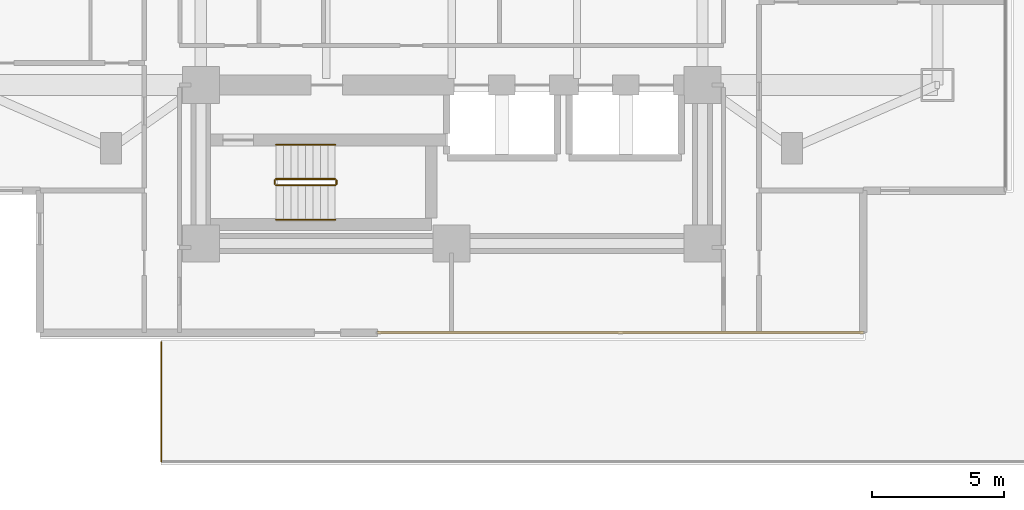
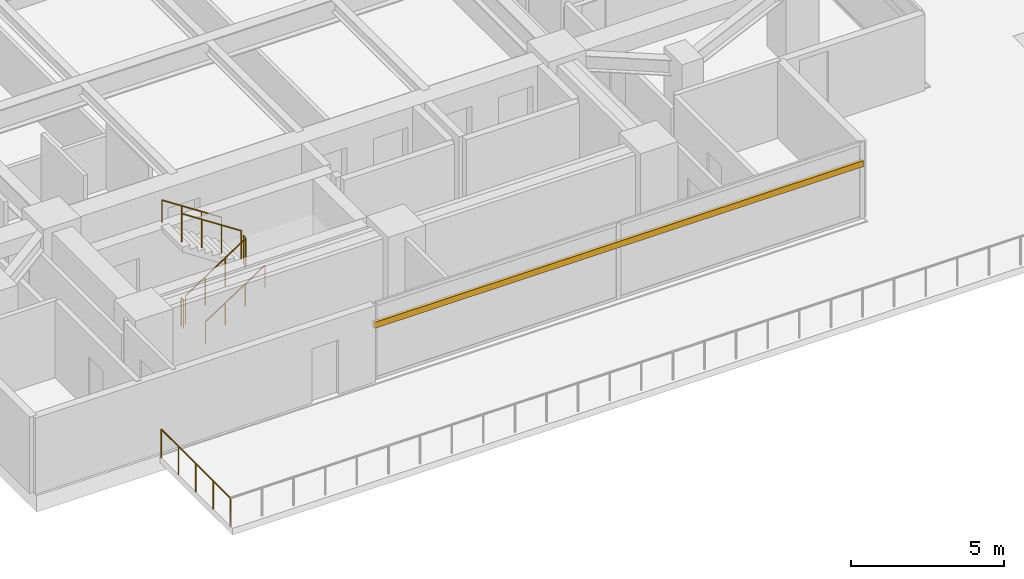
# One storey, part 20 of 26: 7 railings, 1 shading device.
"""IFC4 building model written with IfcOpenShell, lengths in metres."""

from ifc_helpers import new_model, si_unit, direction, frame, origin, origin_2d, place, context, subcontext, project, spatial, rectangle, circle, extrude, material, material_profile, profile_set, type_object, element, save


model = new_model("IFC4")

# Units and contexts
model_context = context("Model", 3, precision=1e-05, world=origin(), true_north=direction((0.0, 1.0)))
body_context = subcontext(model_context, "Body", "Model", "MODEL_VIEW")
ifc_project = project(units=[si_unit("LENGTHUNIT", "METRE"), si_unit("AREAUNIT", "SQUARE_METRE"), si_unit("VOLUMEUNIT", "CUBIC_METRE"), si_unit("PLANEANGLEUNIT", "RADIAN"), si_unit("MASSUNIT", "GRAM", prefix="KILO")], contexts=[model_context])

# Site, building, storey
site_placement = place(None, origin())
site = spatial("IfcSite", under=ifc_project, at=site_placement, CompositionType="ELEMENT")
building_placement = place(site_placement, origin())
building = spatial("IfcBuilding", under=site, at=building_placement, Name="Mirazonda Arch Towers", CompositionType="ELEMENT")
storey_placement = place(building_placement, frame((0.0, 0.0, 22.39990234375)))
storey = spatial("IfcBuildingStorey", under=building, at=storey_placement, Name="L05", CompositionType="ELEMENT", Elevation=22.39990234375)

# Shading device
ifc_material_1 = material(Name="Kiln-Fired Architectural Terracotta", Category="masonry")
ifc_material_profile = material_profile(ifc_material_1, rectangle(XDim=0.1201171875, YDim=0.239990234375, at=origin_2d()), Name="TERRA-BAG-120x240")
ifc_profile_set = profile_set([ifc_material_profile], Name="Kiln-Fired Architectural Terracotta")
shading_device_type = type_object("IfcShadingDeviceType", Name="BAGUETTE-1", PredefinedType="USERDEFINED", material=ifc_profile_set)
shading_device_placement = place(storey_placement, frame((36.10009765625, 9.02001953125, 2.18896484375), z_axis=(-1.0, 0.0, 0.0), x_axis=(0.0, -1.0, 0.0)))
element("IfcShadingDevice", 1, at=shading_device_placement, inside=storey, type_object=shading_device_type, Name="L05 Glazed Terracotta Sun-Screen Baguette CW-L05-T1-S", ObjectType="BAGUETTE", PredefinedType="USERDEFINED", context=body_context, shape_type="SweptSolid", body=[
    extrude(rectangle(XDim=0.1201171875, YDim=0.239990234375, at=origin_2d()), origin(), (0.0, 0.0, 1.0), 18.400146484375),
])

# Railings
ifc_material_2 = material(Name="Architectural Brushed Steel S355", Category="steel")
railing_type_1 = type_object("IfcRailingType", Name="GUARD-EXT-1150", PredefinedType="GUARDRAIL", material=ifc_material_2)
railing_1_placement = place(storey_placement, frame((9.5, 8.64990234375, 0.0)))
element("IfcRailing", 2, at=railing_1_placement, inside=storey, type_object=railing_type_1, Name="L05 Podium Roof Terrace Perimeter Guard 01", PredefinedType="GUARDRAIL", context=body_context, shape_type="SweptSolid", body=[
    extrude(circle(Radius=0.02392578125, at=origin_2d()), frame((0.0, 0.0, 1.1259765625), z_axis=(0.0, -1.0, 0.0), x_axis=(1.0, 0.0, 0.0)), (0.0, 0.0, 1.0), 4.510009765625),
    extrude(circle(Radius=0.02099609375, at=origin_2d()), origin(), (0.0, 0.0, 1.0), 1.101806640625),
    extrude(circle(Radius=0.02099609375, at=origin_2d()), frame((0.0, -1.12744140625, 0.0)), (0.0, 0.0, 1.0), 1.101806640625),
    extrude(circle(Radius=0.02099609375, at=origin_2d()), frame((0.0, -2.2548828125, 0.0)), (0.0, 0.0, 1.0), 1.101806640625),
    extrude(circle(Radius=0.02099609375, at=origin_2d()), frame((0.0, -3.382568359375, 0.0)), (0.0, 0.0, 1.0), 1.101806640625),
    extrude(circle(Radius=0.02099609375, at=origin_2d()), frame((0.0, -4.510009765625, 0.0)), (0.0, 0.0, 1.0), 1.101806640625),
])
railing_type_2 = type_object("IfcRailingType", Name="GUARD-STAIR-1120", PredefinedType="GUARDRAIL", material=ifc_material_2)
railing_2_placement = place(storey_placement, frame((13.85009765625, 14.60009765625, 0.183349609375)))
element("IfcRailing", 3, at=railing_2_placement, inside=storey, type_object=railing_type_2, Name="L05 ST-T1S stair guard 1", PredefinedType="GUARDRAIL", context=body_context, shape_type="SweptSolid", body=[
    extrude(circle(Radius=0.02392578125, at=origin_2d()), frame((0.0, 0.0, 1.1259765625), z_axis=(0.836595146698, 0.0, 0.547821650285), x_axis=(0.0, 1.0, 0.0)), (0.0, 0.0, 1.0), 2.677490234375),
    extrude(circle(Radius=0.02099609375, at=origin_2d()), origin(), (0.0, 0.0, 1.0), 1.101806640625),
    extrude(circle(Radius=0.02099609375, at=origin_2d()), frame((0.74658203125, 0.0, 0.489013671875)), (0.0, 0.0, 1.0), 1.101806640625),
    extrude(circle(Radius=0.02099609375, at=origin_2d()), frame((1.493408203125, 0.0, 0.977783203125)), (0.0, 0.0, 1.0), 1.101806640625),
    extrude(circle(Radius=0.02099609375, at=origin_2d()), frame((2.239990234375, 0.0, 1.466796875)), (0.0, 0.0, 1.0), 1.101806640625),
])
railing_3_placement = place(storey_placement, frame((16.139892578125, 14.64990234375, 1.650146484375)))
element("IfcRailing", 4, at=railing_3_placement, inside=storey, type_object=railing_type_2, Name="L05 ST-T1S stair guard 2", PredefinedType="GUARDRAIL", context=body_context, shape_type="SweptSolid", body=[
    extrude(circle(Radius=0.02392578125, at=origin_2d()), frame((0.0, 0.0, 1.1259765625), z_axis=(0.0, 1.0, 0.0), x_axis=(-1.0, 0.0, 0.0)), (0.0, 0.0, 1.0), 0.14013671875),
    extrude(circle(Radius=0.02099609375, at=origin_2d()), origin(), (0.0, 0.0, 1.0), 1.101806640625),
    extrude(circle(Radius=0.02099609375, at=origin_2d()), frame((0.0, 0.14013671875, 0.0)), (0.0, 0.0, 1.0), 1.101806640625),
])
railing_4_placement = place(storey_placement, frame((16.090087890625, 14.840087890625, 1.83349609375)))
element("IfcRailing", 5, at=railing_4_placement, inside=storey, type_object=railing_type_2, Name="L05 ST-T1S stair guard 3", PredefinedType="GUARDRAIL", context=body_context, shape_type="SweptSolid", body=[
    extrude(circle(Radius=0.02392578125, at=origin_2d()), frame((0.0, 0.0, 1.1259765625), z_axis=(-0.836636935527, 0.0, 0.547757827979), x_axis=(0.0, -1.0, 0.0)), (0.0, 0.0, 1.0), 2.677490234375),
    extrude(circle(Radius=0.02099609375, at=origin_2d()), origin(), (0.0, 0.0, 1.0), 1.101806640625),
    extrude(circle(Radius=0.02099609375, at=origin_2d()), frame((-0.74658203125, 0.0, 0.48876953125)), (0.0, 0.0, 1.0), 1.101806640625),
    extrude(circle(Radius=0.02099609375, at=origin_2d()), frame((-1.493408203125, 0.0, 0.977783203125)), (0.0, 0.0, 1.0), 1.101806640625),
    extrude(circle(Radius=0.02099609375, at=origin_2d()), frame((-2.239990234375, 0.0, 1.466552734375)), (0.0, 0.0, 1.0), 1.101806640625),
])
railing_5_placement = place(storey_placement, frame((13.800048828125, 14.64990234375, 0.0)))
element("IfcRailing", 6, at=railing_5_placement, inside=storey, type_object=railing_type_2, Name="L05 ST-T1S stair guard 4", PredefinedType="GUARDRAIL", context=body_context, shape_type="SweptSolid", body=[
    extrude(circle(Radius=0.02392578125, at=origin_2d()), frame((0.0, 0.0, 1.1259765625), z_axis=(0.0, 1.0, 0.0), x_axis=(-1.0, 0.0, 0.0)), (0.0, 0.0, 1.0), 0.14013671875),
    extrude(circle(Radius=0.02099609375, at=origin_2d()), origin(), (0.0, 0.0, 1.0), 1.101806640625),
    extrude(circle(Radius=0.02099609375, at=origin_2d()), frame((0.0, 0.14013671875, 0.0)), (0.0, 0.0, 1.0), 1.101806640625),
])
railing_type_3 = type_object("IfcRailingType", Name="HANDRAIL-915", PredefinedType="HANDRAIL", material=ifc_material_2)
railing_6_placement = place(storey_placement, frame((13.85009765625, 13.300048828125, 0.183349609375)))
element("IfcRailing", 7, at=railing_6_placement, inside=storey, type_object=railing_type_3, Name="L05 ST-T1S stair handrail 1", PredefinedType="HANDRAIL", context=body_context, shape_type="SweptSolid", body=[
    extrude(circle(Radius=0.02392578125, at=origin_2d()), frame((0.0, 0.0, 0.8759765625), z_axis=(0.836595146698, 0.0, 0.547821650285), x_axis=(0.0, 1.0, 0.0)), (0.0, 0.0, 1.0), 2.677490234375),
    extrude(circle(Radius=0.02099609375, at=origin_2d()), origin(), (0.0, 0.0, 1.0), 0.851806640625),
    extrude(circle(Radius=0.02099609375, at=origin_2d()), frame((0.74658203125, 0.0, 0.489013671875)), (0.0, 0.0, 1.0), 0.851806640625),
    extrude(circle(Radius=0.02099609375, at=origin_2d()), frame((1.493408203125, 0.0, 0.977783203125)), (0.0, 0.0, 1.0), 0.851806640625),
    extrude(circle(Radius=0.02099609375, at=origin_2d()), frame((2.239990234375, 0.0, 1.466796875)), (0.0, 0.0, 1.0), 0.851806640625),
])
railing_7_placement = place(storey_placement, frame((16.090087890625, 16.139892578125, 1.83349609375)))
element("IfcRailing", 8, at=railing_7_placement, inside=storey, type_object=railing_type_3, Name="L05 ST-T1S stair handrail 2", PredefinedType="HANDRAIL", context=body_context, shape_type="SweptSolid", body=[
    extrude(circle(Radius=0.02392578125, at=origin_2d()), frame((0.0, 0.0, 0.8759765625), z_axis=(-0.836636935527, 0.0, 0.547757827979), x_axis=(0.0, -1.0, 0.0)), (0.0, 0.0, 1.0), 2.677490234375),
    extrude(circle(Radius=0.02099609375, at=origin_2d()), origin(), (0.0, 0.0, 1.0), 0.851806640625),
    extrude(circle(Radius=0.02099609375, at=origin_2d()), frame((-0.74658203125, 0.0, 0.48876953125)), (0.0, 0.0, 1.0), 0.851806640625),
    extrude(circle(Radius=0.02099609375, at=origin_2d()), frame((-1.493408203125, 0.0, 0.977783203125)), (0.0, 0.0, 1.0), 0.851806640625),
    extrude(circle(Radius=0.02099609375, at=origin_2d()), frame((-2.239990234375, 0.0, 1.466552734375)), (0.0, 0.0, 1.0), 0.851806640625),
])

save(model, "model.ifc")
